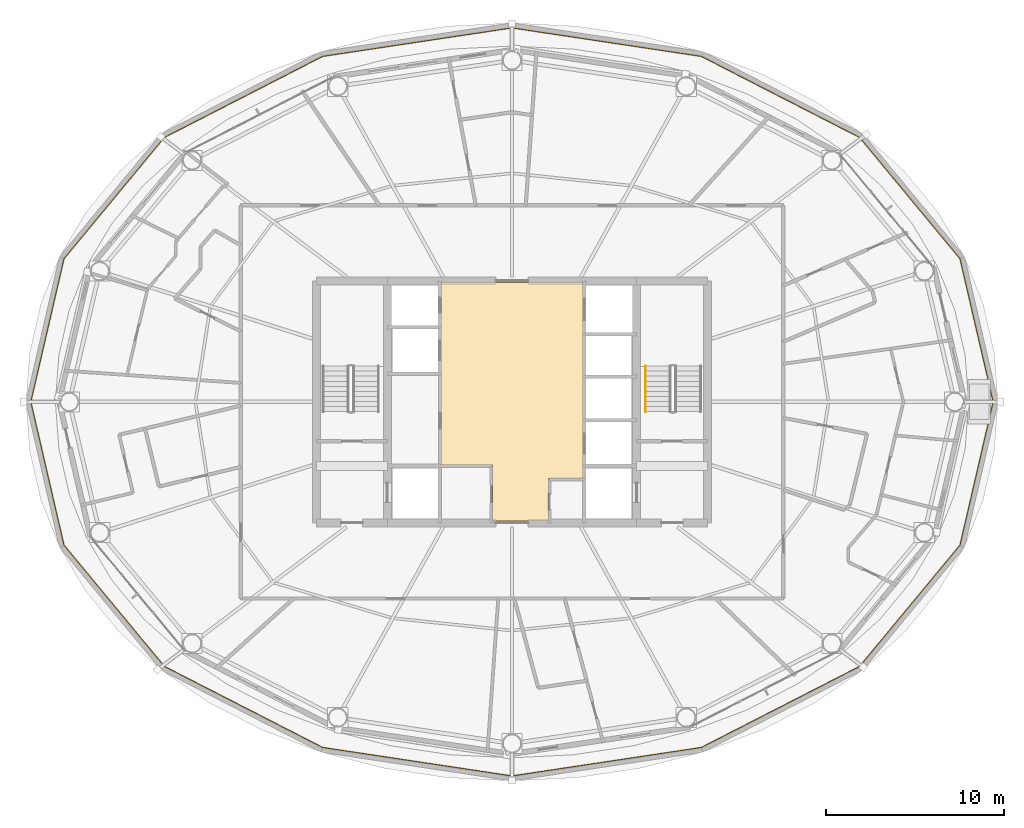
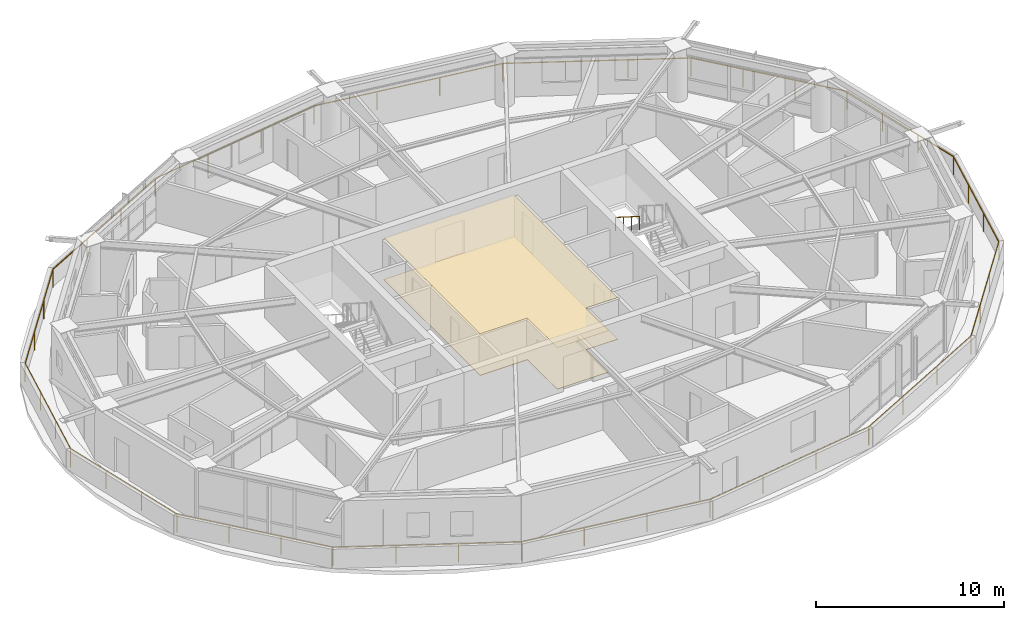
# One storey, part 21 of 22: 2 coverings, 2 railings.
"""IFC4 building model written with IfcOpenShell, lengths in metres."""

from ifc_helpers import new_model, si_unit, direction, frame, origin, origin_2d, place, context, subcontext, project, spatial, polyline, rectangle, outline, extrude, material, layer, layer_set, type_object, element, save


model = new_model("IFC4")

# Units and contexts
model_context = context("Model", 3, precision=1e-05, world=origin(), true_north=direction((0.0, 1.0)))
body_context = subcontext(model_context, "Body", "Model", "MODEL_VIEW")
ifc_project = project(units=[si_unit("LENGTHUNIT", "METRE"), si_unit("AREAUNIT", "SQUARE_METRE"), si_unit("VOLUMEUNIT", "CUBIC_METRE"), si_unit("PLANEANGLEUNIT", "RADIAN"), si_unit("MASSUNIT", "GRAM", prefix="KILO")], contexts=[model_context])

# Site, building, storey
site_placement = place(None, origin())
site = spatial("IfcSite", under=ifc_project, at=site_placement, CompositionType="ELEMENT")
building_placement = place(site_placement, origin())
building = spatial("IfcBuilding", under=site, at=building_placement, Name="Sarneth Arch Tower", CompositionType="ELEMENT")
storey_placement = place(building_placement, frame((0.0, 0.0, 206.39990234375)))
storey = spatial("IfcBuildingStorey", under=building, at=storey_placement, Name="L52", CompositionType="ELEMENT", Elevation=206.39990234375)

# Coverings
ifc_material_1 = material(Name="Perforated acoustic gypsum ceiling board")
ifc_layer_1 = layer(ifc_material_1, 0.02490234375)
ifc_layer_set_1 = layer_set([ifc_layer_1], Name="Perforated acoustic gypsum ceiling board")
covering_type_1 = type_object("IfcCoveringType", Name="COV-CEIL-GYP", PredefinedType="CEILING", material=ifc_layer_set_1)
covering_1_placement = place(storey_placement, frame((0.0, 0.0, 2.690185546875)))
element("IfcCovering", 1, at=covering_1_placement, inside=storey, type_object=covering_type_1, Name="L52 Lift lobby acoustic ceiling", PredefinedType="CEILING", context=body_context, shape_type="SweptSolid", body=[
    extrude(outline(polyline([(52.0, 37.699951171875), (50.050048828125, 37.699951171875), (50.050048828125, 35.300048828125), (46.89990234375, 35.300048828125), (46.89990234375, 38.449951171875), (44.0, 38.449951171875), (44.0, 48.699951171875), (52.0, 48.699951171875), (52.0, 37.699951171875)])), origin(), (0.0, 0.0, 1.0), 0.030029296875),
])
ifc_material_2 = material(Name="Honed granite stone flooring", Category="masonry")
ifc_layer_2 = layer(ifc_material_2, 0.030029296875)
ifc_layer_set_2 = layer_set([ifc_layer_2], Name="Honed granite stone flooring")
covering_type_2 = type_object("IfcCoveringType", Name="COV-FLR-STONE", PredefinedType="FLOORING", material=ifc_layer_set_2)
covering_2_placement = place(storey_placement, origin())
element("IfcCovering", 2, at=covering_2_placement, inside=storey, type_object=covering_type_2, Name="L52 Lift lobby granite flooring", PredefinedType="FLOORING", context=body_context, shape_type="SweptSolid", body=[
    extrude(outline(polyline([(52.0, 37.699951171875), (50.050048828125, 37.699951171875), (50.050048828125, 35.300048828125), (46.89990234375, 35.300048828125), (46.89990234375, 38.449951171875), (44.0, 38.449951171875), (44.0, 48.699951171875), (52.0, 48.699951171875), (52.0, 37.699951171875)])), origin(), (0.0, 0.0, 1.0), 0.030029296875),
])

# Railings
ifc_material_3 = material(Name="Laminated structural glass infill with Stainless Steel 316 top rail and posts", Category="steel")
railing_type_1 = type_object("IfcRailingType", Name="RAIL-BALC-1200", PredefinedType="BALUSTRADE", material=ifc_material_3)
railing_1_placement = place(storey_placement, frame((75.041015625, 42.0, 0.0)))
element("IfcRailing", 3, at=railing_1_placement, inside=storey, type_object=railing_type_1, Name="L52 Helical balcony glass balustrade", PredefinedType="BALUSTRADE", context=body_context, shape_type="SweptSolid", body=[
    extrude(rectangle(XDim=0.048095703125, YDim=0.048095703125, at=origin_2d()), frame((0.0, 0.0, 1.17578125), z_axis=(-0.225634686303, 0.974211983265, 0.0), x_axis=(-0.974211983265, -0.225634686303, 0.0)), (0.0, 0.0, 1.0), 8.2568359375),
    extrude(rectangle(XDim=0.048095703125, YDim=0.048095703125, at=origin_2d()), frame((-1.863037109375, 8.0439453125, 1.17578125), z_axis=(-0.637598193799, 0.770369095476, 0.0), x_axis=(-0.770369095476, -0.637598193799, 0.0)), (0.0, 0.0, 1.0), 8.85205078125),
    extrude(rectangle(XDim=0.048095703125, YDim=0.048095703125, at=origin_2d()), frame((-7.507080078125, 14.86328125, 1.17578125), z_axis=(-0.889996456702, 0.455967440787, 0.0), x_axis=(-0.455967440787, -0.889996456702, 0.0)), (0.0, 0.0, 1.0), 9.993408203125),
    extrude(rectangle(XDim=0.048095703125, YDim=0.048095703125, at=origin_2d()), frame((-16.401123046875, 19.419921875, 1.17578125), z_axis=(-0.988880193611, 0.148714366098, 0.0), x_axis=(-0.148714366098, -0.988880193611, 0.0)), (0.0, 0.0, 1.0), 10.759521484375),
    extrude(rectangle(XDim=0.048095703125, YDim=0.048095703125, at=origin_2d()), frame((-27.041015625, 21.02001953125, 1.17578125), z_axis=(-0.988880193611, -0.148714366098, 0.0), x_axis=(0.148714366098, -0.988880193611, 0.0)), (0.0, 0.0, 1.0), 10.759521484375),
    extrude(rectangle(XDim=0.048095703125, YDim=0.048095703125, at=origin_2d()), frame((-37.680908203125, 19.419921875, 1.17578125), z_axis=(-0.889996456702, -0.455967440787, 0.0), x_axis=(0.455967440787, -0.889996456702, 0.0)), (0.0, 0.0, 1.0), 9.993408203125),
    extrude(rectangle(XDim=0.048095703125, YDim=0.048095703125, at=origin_2d()), frame((-46.574951171875, 14.86328125, 1.17578125), z_axis=(-0.637598193799, -0.770369095476, 0.0), x_axis=(0.770369095476, -0.637598193799, 0.0)), (0.0, 0.0, 1.0), 8.85205078125),
    extrude(rectangle(XDim=0.048095703125, YDim=0.048095703125, at=origin_2d()), frame((-52.218994140625, 8.0439453125, 1.17578125), z_axis=(-0.225634686303, -0.974211983265, 0.0), x_axis=(0.974211983265, -0.225634686303, 0.0)), (0.0, 0.0, 1.0), 8.2568359375),
    extrude(rectangle(XDim=0.048095703125, YDim=0.048095703125, at=origin_2d()), frame((-54.08203125, 0.0, 1.17578125), z_axis=(0.225634686303, -0.974211983265, 0.0), x_axis=(0.974211983265, 0.225634686303, 0.0)), (0.0, 0.0, 1.0), 8.2568359375),
    extrude(rectangle(XDim=0.048095703125, YDim=0.048095703125, at=origin_2d()), frame((-52.218994140625, -8.0439453125, 1.17578125), z_axis=(0.637598193799, -0.770369095476, 0.0), x_axis=(0.770369095476, 0.637598193799, 0.0)), (0.0, 0.0, 1.0), 8.85205078125),
    extrude(rectangle(XDim=0.048095703125, YDim=0.048095703125, at=origin_2d()), frame((-46.574951171875, -14.86328125, 1.17578125), z_axis=(0.889996456702, -0.455967440787, 0.0), x_axis=(0.455967440787, 0.889996456702, 0.0)), (0.0, 0.0, 1.0), 9.993408203125),
    extrude(rectangle(XDim=0.048095703125, YDim=0.048095703125, at=origin_2d()), frame((-37.680908203125, -19.419921875, 1.17578125), z_axis=(0.988880193611, -0.148714366098, 0.0), x_axis=(0.148714366098, 0.988880193611, 0.0)), (0.0, 0.0, 1.0), 10.759521484375),
    extrude(rectangle(XDim=0.048095703125, YDim=0.048095703125, at=origin_2d()), frame((-27.041015625, -21.02001953125, 1.17578125), z_axis=(0.988880193611, 0.148714366098, 0.0), x_axis=(-0.148714366098, 0.988880193611, 0.0)), (0.0, 0.0, 1.0), 10.759521484375),
    extrude(rectangle(XDim=0.048095703125, YDim=0.048095703125, at=origin_2d()), frame((-16.401123046875, -19.419921875, 1.17578125), z_axis=(0.889996456702, 0.455967440787, 0.0), x_axis=(-0.455967440787, 0.889996456702, 0.0)), (0.0, 0.0, 1.0), 9.993408203125),
    extrude(rectangle(XDim=0.048095703125, YDim=0.048095703125, at=origin_2d()), frame((-7.507080078125, -14.86328125, 1.17578125), z_axis=(0.637598193799, 0.770369095476, 0.0), x_axis=(-0.770369095476, 0.637598193799, 0.0)), (0.0, 0.0, 1.0), 8.85205078125),
    extrude(rectangle(XDim=0.048095703125, YDim=0.048095703125, at=origin_2d()), frame((-1.863037109375, -8.0439453125, 1.17578125), z_axis=(0.225634686303, 0.974211983265, 0.0), x_axis=(-0.974211983265, 0.225634686303, 0.0)), (0.0, 0.0, 1.0), 8.2568359375),
    extrude(rectangle(XDim=0.0419921875, YDim=0.0419921875, at=origin_2d()), origin(), (0.0, 0.0, 1.0), 1.15185546875),
    extrude(rectangle(XDim=0.0419921875, YDim=0.0419921875, at=origin_2d()), frame((-0.62109375, 2.681396484375, 0.0)), (0.0, 0.0, 1.0), 1.15185546875),
    extrude(rectangle(XDim=0.0419921875, YDim=0.0419921875, at=origin_2d()), frame((-1.241943359375, 5.362548828125, 0.0)), (0.0, 0.0, 1.0), 1.15185546875),
    extrude(rectangle(XDim=0.0419921875, YDim=0.0419921875, at=origin_2d()), frame((-1.863037109375, 8.0439453125, 0.0)), (0.0, 0.0, 1.0), 1.15185546875),
    extrude(rectangle(XDim=0.0419921875, YDim=0.0419921875, at=origin_2d()), frame((-3.744384765625, 10.317138671875, 0.0)), (0.0, 0.0, 1.0), 1.15185546875),
    extrude(rectangle(XDim=0.0419921875, YDim=0.0419921875, at=origin_2d()), frame((-5.625732421875, 12.590087890625, 0.0)), (0.0, 0.0, 1.0), 1.15185546875),
    extrude(rectangle(XDim=0.0419921875, YDim=0.0419921875, at=origin_2d()), frame((-7.507080078125, 14.86328125, 0.0)), (0.0, 0.0, 1.0), 1.15185546875),
    extrude(rectangle(XDim=0.0419921875, YDim=0.0419921875, at=origin_2d()), frame((-10.4716796875, 16.382080078125, 0.0)), (0.0, 0.0, 1.0), 1.15185546875),
    extrude(rectangle(XDim=0.0419921875, YDim=0.0419921875, at=origin_2d()), frame((-13.4365234375, 17.901123046875, 0.0)), (0.0, 0.0, 1.0), 1.15185546875),
    extrude(rectangle(XDim=0.0419921875, YDim=0.0419921875, at=origin_2d()), frame((-16.401123046875, 19.419921875, 0.0)), (0.0, 0.0, 1.0), 1.15185546875),
    extrude(rectangle(XDim=0.0419921875, YDim=0.0419921875, at=origin_2d()), frame((-19.94775390625, 19.953369140625, 0.0)), (0.0, 0.0, 1.0), 1.15185546875),
    extrude(rectangle(XDim=0.0419921875, YDim=0.0419921875, at=origin_2d()), frame((-23.494384765625, 20.486572265625, 0.0)), (0.0, 0.0, 1.0), 1.15185546875),
    extrude(rectangle(XDim=0.0419921875, YDim=0.0419921875, at=origin_2d()), frame((-27.041015625, 21.02001953125, 0.0)), (0.0, 0.0, 1.0), 1.15185546875),
    extrude(rectangle(XDim=0.0419921875, YDim=0.0419921875, at=origin_2d()), frame((-30.587646484375, 20.486572265625, 0.0)), (0.0, 0.0, 1.0), 1.15185546875),
    extrude(rectangle(XDim=0.0419921875, YDim=0.0419921875, at=origin_2d()), frame((-34.13427734375, 19.953369140625, 0.0)), (0.0, 0.0, 1.0), 1.15185546875),
    extrude(rectangle(XDim=0.0419921875, YDim=0.0419921875, at=origin_2d()), frame((-37.680908203125, 19.419921875, 0.0)), (0.0, 0.0, 1.0), 1.15185546875),
    extrude(rectangle(XDim=0.0419921875, YDim=0.0419921875, at=origin_2d()), frame((-40.6455078125, 17.901123046875, 0.0)), (0.0, 0.0, 1.0), 1.15185546875),
    extrude(rectangle(XDim=0.0419921875, YDim=0.0419921875, at=origin_2d()), frame((-43.6103515625, 16.382080078125, 0.0)), (0.0, 0.0, 1.0), 1.15185546875),
    extrude(rectangle(XDim=0.0419921875, YDim=0.0419921875, at=origin_2d()), frame((-46.574951171875, 14.86328125, 0.0)), (0.0, 0.0, 1.0), 1.15185546875),
    extrude(rectangle(XDim=0.0419921875, YDim=0.0419921875, at=origin_2d()), frame((-48.456298828125, 12.590087890625, 0.0)), (0.0, 0.0, 1.0), 1.15185546875),
    extrude(rectangle(XDim=0.0419921875, YDim=0.0419921875, at=origin_2d()), frame((-50.337646484375, 10.317138671875, 0.0)), (0.0, 0.0, 1.0), 1.15185546875),
    extrude(rectangle(XDim=0.0419921875, YDim=0.0419921875, at=origin_2d()), frame((-52.218994140625, 8.0439453125, 0.0)), (0.0, 0.0, 1.0), 1.15185546875),
    extrude(rectangle(XDim=0.0419921875, YDim=0.0419921875, at=origin_2d()), frame((-52.840087890625, 5.362548828125, 0.0)), (0.0, 0.0, 1.0), 1.15185546875),
    extrude(rectangle(XDim=0.0419921875, YDim=0.0419921875, at=origin_2d()), frame((-53.4609375, 2.681396484375, 0.0)), (0.0, 0.0, 1.0), 1.15185546875),
    extrude(rectangle(XDim=0.0419921875, YDim=0.0419921875, at=origin_2d()), frame((-54.08203125, 0.0, 0.0)), (0.0, 0.0, 1.0), 1.15185546875),
    extrude(rectangle(XDim=0.0419921875, YDim=0.0419921875, at=origin_2d()), frame((-53.4609375, -2.681396484375, 0.0)), (0.0, 0.0, 1.0), 1.15185546875),
    extrude(rectangle(XDim=0.0419921875, YDim=0.0419921875, at=origin_2d()), frame((-52.840087890625, -5.362548828125, 0.0)), (0.0, 0.0, 1.0), 1.15185546875),
    extrude(rectangle(XDim=0.0419921875, YDim=0.0419921875, at=origin_2d()), frame((-52.218994140625, -8.0439453125, 0.0)), (0.0, 0.0, 1.0), 1.15185546875),
    extrude(rectangle(XDim=0.0419921875, YDim=0.0419921875, at=origin_2d()), frame((-50.337646484375, -10.317138671875, 0.0)), (0.0, 0.0, 1.0), 1.15185546875),
    extrude(rectangle(XDim=0.0419921875, YDim=0.0419921875, at=origin_2d()), frame((-48.456298828125, -12.590087890625, 0.0)), (0.0, 0.0, 1.0), 1.15185546875),
    extrude(rectangle(XDim=0.0419921875, YDim=0.0419921875, at=origin_2d()), frame((-46.574951171875, -14.86328125, 0.0)), (0.0, 0.0, 1.0), 1.15185546875),
    extrude(rectangle(XDim=0.0419921875, YDim=0.0419921875, at=origin_2d()), frame((-43.6103515625, -16.382080078125, 0.0)), (0.0, 0.0, 1.0), 1.15185546875),
    extrude(rectangle(XDim=0.0419921875, YDim=0.0419921875, at=origin_2d()), frame((-40.6455078125, -17.901123046875, 0.0)), (0.0, 0.0, 1.0), 1.15185546875),
    extrude(rectangle(XDim=0.0419921875, YDim=0.0419921875, at=origin_2d()), frame((-37.680908203125, -19.419921875, 0.0)), (0.0, 0.0, 1.0), 1.15185546875),
    extrude(rectangle(XDim=0.0419921875, YDim=0.0419921875, at=origin_2d()), frame((-34.13427734375, -19.953369140625, 0.0)), (0.0, 0.0, 1.0), 1.15185546875),
    extrude(rectangle(XDim=0.0419921875, YDim=0.0419921875, at=origin_2d()), frame((-30.587646484375, -20.486572265625, 0.0)), (0.0, 0.0, 1.0), 1.15185546875),
    extrude(rectangle(XDim=0.0419921875, YDim=0.0419921875, at=origin_2d()), frame((-27.041015625, -21.02001953125, 0.0)), (0.0, 0.0, 1.0), 1.15185546875),
    extrude(rectangle(XDim=0.0419921875, YDim=0.0419921875, at=origin_2d()), frame((-23.494384765625, -20.486572265625, 0.0)), (0.0, 0.0, 1.0), 1.15185546875),
    extrude(rectangle(XDim=0.0419921875, YDim=0.0419921875, at=origin_2d()), frame((-19.94775390625, -19.953369140625, 0.0)), (0.0, 0.0, 1.0), 1.15185546875),
    extrude(rectangle(XDim=0.0419921875, YDim=0.0419921875, at=origin_2d()), frame((-16.401123046875, -19.419921875, 0.0)), (0.0, 0.0, 1.0), 1.15185546875),
    extrude(rectangle(XDim=0.0419921875, YDim=0.0419921875, at=origin_2d()), frame((-13.4365234375, -17.901123046875, 0.0)), (0.0, 0.0, 1.0), 1.15185546875),
    extrude(rectangle(XDim=0.0419921875, YDim=0.0419921875, at=origin_2d()), frame((-10.4716796875, -16.382080078125, 0.0)), (0.0, 0.0, 1.0), 1.15185546875),
    extrude(rectangle(XDim=0.0419921875, YDim=0.0419921875, at=origin_2d()), frame((-7.507080078125, -14.86328125, 0.0)), (0.0, 0.0, 1.0), 1.15185546875),
    extrude(rectangle(XDim=0.0419921875, YDim=0.0419921875, at=origin_2d()), frame((-5.625732421875, -12.590087890625, 0.0)), (0.0, 0.0, 1.0), 1.15185546875),
    extrude(rectangle(XDim=0.0419921875, YDim=0.0419921875, at=origin_2d()), frame((-3.744384765625, -10.317138671875, 0.0)), (0.0, 0.0, 1.0), 1.15185546875),
    extrude(rectangle(XDim=0.0419921875, YDim=0.0419921875, at=origin_2d()), frame((-1.863037109375, -8.0439453125, 0.0)), (0.0, 0.0, 1.0), 1.15185546875),
    extrude(rectangle(XDim=0.0419921875, YDim=0.0419921875, at=origin_2d()), frame((-1.241943359375, -5.362548828125, 0.0)), (0.0, 0.0, 1.0), 1.15185546875),
    extrude(rectangle(XDim=0.0419921875, YDim=0.0419921875, at=origin_2d()), frame((-0.62109375, -2.681396484375, 0.0)), (0.0, 0.0, 1.0), 1.15185546875),
])
ifc_material_4 = material(Name="Brushed Stainless Steel 304 tubular handrail", Category="steel")
railing_type_2 = type_object("IfcRailingType", Name="RAIL-HANDRAIL-900", PredefinedType="HANDRAIL", material=ifc_material_4)
railing_2_placement = place(storey_placement, frame((55.5, 44.014892578125, 1.97998046875)))
element("IfcRailing", 4, at=railing_2_placement, inside=storey, type_object=railing_type_2, Name="L52 ST-2 stair handrail 2", PredefinedType="HANDRAIL", context=body_context, shape_type="SweptSolid", body=[
    extrude(rectangle(XDim=0.048095703125, YDim=0.048095703125, at=origin_2d()), frame((0.0, 0.0, 0.8759765625), z_axis=(0.0, -0.845465955043, 0.534029323973), x_axis=(1.0, 0.0, 0.0)), (0.0, 0.0, 1.0), 3.03369140625),
    extrude(rectangle(XDim=0.0419921875, YDim=0.0419921875, at=origin_2d()), origin(), (0.0, 0.0, 1.0), 0.851806640625),
    extrude(rectangle(XDim=0.0419921875, YDim=0.0419921875, at=origin_2d()), frame((0.0, -0.85498046875, 0.5400390625)), (0.0, 0.0, 1.0), 0.851806640625),
    extrude(rectangle(XDim=0.0419921875, YDim=0.0419921875, at=origin_2d()), frame((0.0, -1.7099609375, 1.080078125)), (0.0, 0.0, 1.0), 0.851806640625),
    extrude(rectangle(XDim=0.0419921875, YDim=0.0419921875, at=origin_2d()), frame((0.0, -2.56494140625, 1.6201171875)), (0.0, 0.0, 1.0), 0.851806640625),
])

save(model, "model.ifc")
